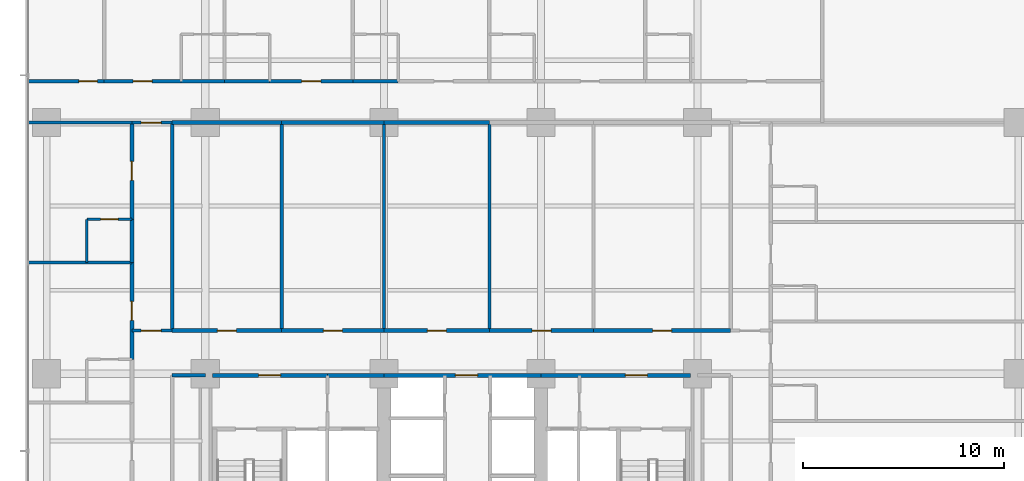
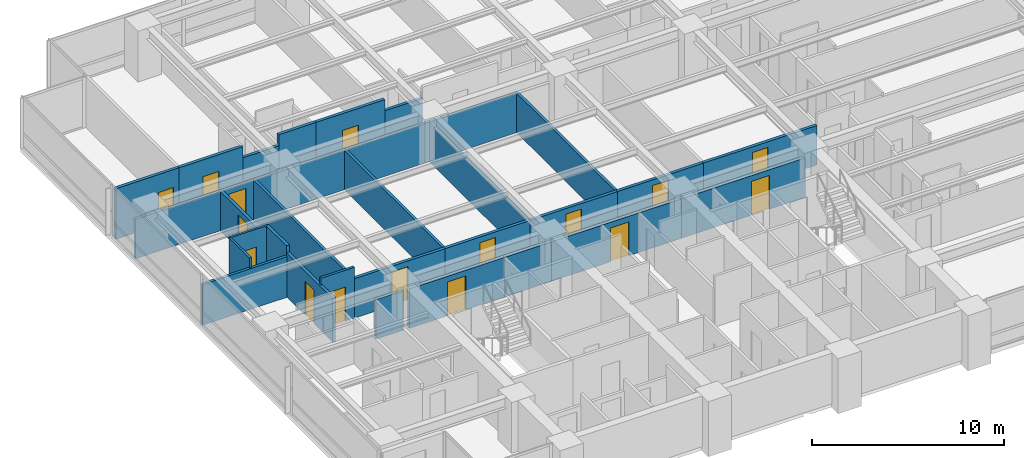
# One storey, part 9 of 17: 32 walls, 16 doors, 16 openings.
"""IFC4 building model written with IfcOpenShell, lengths in metres."""

from ifc_helpers import new_model, si_unit, direction, frame, frame_2d, origin, place, context, subcontext, project, spatial, rectangle, extrude, material, layer, layer_set, type_object, element, fill, save


model = new_model("IFC4")

# Units and contexts
model_context = context("Model", 3, precision=1e-05, world=origin(), true_north=direction((0.0, 1.0)))
body_context = subcontext(model_context, "Body", "Model", "MODEL_VIEW")
ifc_project = project(units=[si_unit("LENGTHUNIT", "METRE"), si_unit("AREAUNIT", "SQUARE_METRE"), si_unit("VOLUMEUNIT", "CUBIC_METRE"), si_unit("PLANEANGLEUNIT", "RADIAN"), si_unit("MASSUNIT", "GRAM", prefix="KILO")], contexts=[model_context])

# Site, building, storey
site_placement = place(None, origin())
site = spatial("IfcSite", under=ifc_project, at=site_placement, CompositionType="ELEMENT")
building_placement = place(site_placement, origin())
building = spatial("IfcBuilding", under=site, at=building_placement, Name="Qalmaran Belvedere Hotel", CompositionType="ELEMENT")
storey_placement = place(building_placement, frame((0.0, 0.0, 40.39990234375)))
storey = spatial("IfcBuildingStorey", under=building, at=storey_placement, Name="L09", CompositionType="ELEMENT", Elevation=40.39990234375)

# Wall, opening, door
ifc_material_1 = material(Name="Moisture-Resistant Gypsum")
ifc_layer_1 = layer(ifc_material_1, 0.1201171875, Name="Moisture-Resistant Gypsum")
ifc_layer_set_1 = layer_set([ifc_layer_1], Name="Moisture-Resistant Gypsum")
wall_type_1 = type_object("IfcWallType", Name="WL-INT-120-BATH", PredefinedType="PARTITIONING", material=ifc_layer_set_1)
wall_1_placement = place(storey_placement, frame((14.39990234375, 28.183349609375, 0.0), z_axis=(0.0, 0.0, 1.0), x_axis=(1.0, 0.0, 0.0)))
wall_1 = element("IfcWall", 1, at=wall_1_placement, inside=storey, type_object=wall_type_1, Name="L09 Partition WL-L09-WBN02", PredefinedType="PARTITIONING", context=body_context, shape_type="SweptSolid", body=[
    extrude(rectangle(XDim=2.25, YDim=0.1201171875, at=frame_2d((1.125, 0.0))), origin(), (0.0, 0.0, 1.0), 3.22021484375),
])
opening_1_placement = place(wall_1_placement, frame((1.56494140625, 0.0, 0.0), z_axis=(0.0, 0.0, 1.0), x_axis=(-1.0, 0.0, 0.0)))
opening_1 = element("IfcOpeningElement", 2, at=opening_1_placement, cuts=wall_1, Name="Opening D-BATH", PredefinedType="OPENING", context=body_context, shape_type="SweptSolid", body=[
    extrude(rectangle(XDim=0.8798828125, YDim=2.080078125, at=frame_2d((0.43994140625, 1.0400390625))), frame((0.0, 0.070068359375, 0.0), z_axis=(0.0, -1.0, 0.0), x_axis=(1.0, 0.0, 0.0)), (0.0, 0.0, 1.0), 0.14013671875),
])
ifc_material_2 = material(Name="Engineered Oak Veneer")
door_type_1 = type_object("IfcDoorType", Name="DR-INT-BATH-880X2080", OperationType="NOTDEFINED", PredefinedType="DOOR", material=ifc_material_2)
door_1_placement = place(opening_1_placement, origin())
door_1 = element("IfcDoor", 3, at=door_1_placement, inside=storey, type_object=door_type_1, Name="L09 W Ensuite Door 03", OperationType="SINGLE_SWING_LEFT", OverallHeight=2.080078125, OverallWidth=0.8798828125, PredefinedType="DOOR", context=body_context, shape_type="SweptSolid", body=[
    extrude(rectangle(XDim=0.8798828125, YDim=2.080078125, at=frame_2d((0.43994140625, 1.0400390625))), frame((0.0, 0.02490234375, 0.0), z_axis=(0.0, -1.0, 0.0), x_axis=(1.0, 0.0, 0.0)), (0.0, 0.0, 1.0), 0.050048828125),
])
fill(opening_1, door_1)

# Wall
wall_2_placement = place(storey_placement, frame((14.39990234375, 26.033203125, 0.0), z_axis=(0.0, 0.0, 1.0), x_axis=(0.0, 1.0, 0.0)))
element("IfcWall", 4, at=wall_2_placement, inside=storey, type_object=wall_type_1, Name="L09 Partition WL-L09-WBS02", PredefinedType="PARTITIONING", context=body_context, shape_type="SweptSolid", body=[
    extrude(rectangle(XDim=2.150146484375, YDim=0.1201171875, at=frame_2d((1.0751953125, 0.0))), origin(), (0.0, 0.0, 1.0), 3.22021484375),
])

# Wall, opening, door
ifc_material_3 = material(Name="Gypsum Stud Partition")
ifc_layer_2 = layer(ifc_material_3, 0.14990234375, Name="Gypsum Stud Partition")
ifc_layer_set_2 = layer_set([ifc_layer_2], Name="Gypsum Stud Partition")
wall_type_2 = type_object("IfcWallType", Name="WL-INT-150-EI60", PredefinedType="PARTITIONING", material=ifc_layer_set_2)
wall_3_placement = place(storey_placement, frame((16.64990234375, 22.64990234375, 0.0), z_axis=(0.0, 0.0, 1.0), x_axis=(1.0, 0.0, 0.0)))
wall_3 = element("IfcWall", 5, at=wall_3_placement, inside=storey, type_object=wall_type_2, Name="L09 Partition WL-L09-XCW1", PredefinedType="PARTITIONING", context=body_context, shape_type="SweptSolid", body=[
    extrude(rectangle(XDim=2.0, YDim=0.14990234375, at=frame_2d((1.0, 0.0))), origin(), (0.0, 0.0, 1.0), 3.22021484375),
])
opening_2_placement = place(wall_3_placement, frame((0.449951171875, 0.0, 0.0)))
opening_2 = element("IfcOpeningElement", 6, at=opening_2_placement, cuts=wall_3, Name="Opening FD90B", PredefinedType="OPENING", context=body_context, shape_type="SweptSolid", body=[
    extrude(rectangle(XDim=1.0, YDim=2.14990234375, at=frame_2d((0.5, 1.074951171875))), frame((0.0, 0.0849609375, 0.0), z_axis=(0.0, -1.0, 0.0), x_axis=(1.0, 0.0, 0.0)), (0.0, 0.0, 1.0), 0.169921875),
])
ifc_material_4 = material(Name="Steel S355JR", Category="steel")
door_type_2 = type_object("IfcDoorType", Name="DR-FD90B-1000X2150", OperationType="NOTDEFINED", PredefinedType="DOOR", material=ifc_material_4)
door_2_placement = place(opening_2_placement, origin())
door_2 = element("IfcDoor", 7, at=door_2_placement, inside=storey, type_object=door_type_2, Name="L09 West Corridor Smoke Door S", OperationType="SINGLE_SWING_RIGHT", OverallHeight=2.14990234375, OverallWidth=1.0, PredefinedType="DOOR", context=body_context, shape_type="SweptSolid", body=[
    extrude(rectangle(XDim=1.0, YDim=2.14990234375, at=frame_2d((0.5, 1.074951171875))), frame((0.0, 0.02490234375, 0.0), z_axis=(0.0, -1.0, 0.0), x_axis=(1.0, 0.0, 0.0)), (0.0, 0.0, 1.0), 0.050048828125),
])
fill(opening_2, door_2)

wall_4_placement = place(storey_placement, frame((16.64990234375, 33.0, 0.0), z_axis=(0.0, 0.0, 1.0), x_axis=(1.0, 0.0, 0.0)))
wall_4 = element("IfcWall", 8, at=wall_4_placement, inside=storey, type_object=wall_type_2, Name="L09 Partition WL-L09-XCW2", PredefinedType="PARTITIONING", context=body_context, shape_type="SweptSolid", body=[
    extrude(rectangle(XDim=2.0, YDim=0.14990234375, at=frame_2d((1.0, 0.0))), origin(), (0.0, 0.0, 1.0), 2.510009765625),
])
opening_3_placement = place(wall_4_placement, frame((0.449951171875, 0.0, 0.0)))
opening_3 = element("IfcOpeningElement", 9, at=opening_3_placement, cuts=wall_4, Name="Opening FD90B", PredefinedType="OPENING", context=body_context, shape_type="SweptSolid", body=[
    extrude(rectangle(XDim=1.0, YDim=2.14990234375, at=frame_2d((0.5, 1.074951171875))), frame((0.0, 0.0849609375, 0.0), z_axis=(0.0, -1.0, 0.0), x_axis=(1.0, 0.0, 0.0)), (0.0, 0.0, 1.0), 0.169921875),
])
door_3_placement = place(opening_3_placement, origin())
door_3 = element("IfcDoor", 10, at=door_3_placement, inside=storey, type_object=door_type_2, Name="L09 West Corridor Smoke Door N", OperationType="SINGLE_SWING_LEFT", OverallHeight=2.14990234375, OverallWidth=1.0, PredefinedType="DOOR", context=body_context, shape_type="SweptSolid", body=[
    extrude(rectangle(XDim=1.0, YDim=2.14990234375, at=frame_2d((0.5, 1.074951171875))), frame((0.0, 0.02490234375, 0.0), z_axis=(0.0, -1.0, 0.0), x_axis=(1.0, 0.0, 0.0)), (0.0, 0.0, 1.0), 0.050048828125),
])
fill(opening_3, door_3)

# Walls
ifc_layer_3 = layer(ifc_material_3, 0.159912109375, Name="Gypsum Stud Partition")
ifc_layer_set_3 = layer_set([ifc_layer_3], Name="Gypsum Stud Partition")
wall_type_3 = type_object("IfcWallType", Name="WL-INT-160-EI60", PredefinedType="PARTITIONING", material=ifc_layer_set_3)
wall_5_placement = place(storey_placement, frame((18.64990234375, 20.419921875, 0.0), z_axis=(0.0, 0.0, 1.0), x_axis=(1.0, 0.0, 0.0)))
element("IfcWall", 11, at=wall_5_placement, inside=storey, type_object=wall_type_3, Name="L09 Partition WL-L09-WCLN", PredefinedType="PARTITIONING", context=body_context, shape_type="SweptSolid", body=[
    extrude(rectangle(XDim=1.650146484375, YDim=0.159912109375, at=frame_2d((0.8251953125, 0.0))), origin(), (0.0, 0.0, 1.0), 2.510009765625),
])
for number, where, z_axis, x_axis, name in (
    (12, (18.64990234375, 22.64990234375, 0.0), (0.0, 0.0, 1.0), (0.0, 1.0, 0.0), "L09 Partition WL-L09-MIDVL"),
    (13, (24.10009765625, 22.64990234375, 0.0), (0.0, 0.0, 1.0), (0.0, 1.0, 0.0), "L09 Partition WL-L09-MIDVR1"),
    (14, (29.199951171875, 22.64990234375, 0.0), (0.0, 0.0, 1.0), (0.0, 1.0, 0.0), "L09 Partition WL-L09-MIDVR2"),
    (15, (34.449951171875, 22.64990234375, 0.0), (0.0, 0.0, 1.0), (0.0, 1.0, 0.0), "L09 Partition WL-L09-MIDVR3"),
):
    element("IfcWall", number, at=place(storey_placement, frame(where, z_axis=z_axis, x_axis=x_axis)), inside=storey, type_object=wall_type_3, Name=name, PredefinedType="PARTITIONING", context=body_context, shape_type="SweptSolid", body=[
        extrude(rectangle(XDim=10.35009765625, YDim=0.159912109375, at=frame_2d((5.175048828125, 0.0))), origin(), (0.0, 0.0, 1.0), 2.510009765625),
    ])
wall_6_placement = place(storey_placement, frame((11.469970703125, 26.033203125, 0.0), z_axis=(0.0, 0.0, 1.0), x_axis=(1.0, 0.0, 0.0)))
element("IfcWall", 16, at=wall_6_placement, inside=storey, type_object=wall_type_3, Name="L09 Partition WL-L09-WU01", PredefinedType="PARTITIONING", context=body_context, shape_type="SweptSolid", body=[
    extrude(rectangle(XDim=5.179931640625, YDim=0.159912109375, at=frame_2d((2.58984375, 0.0))), origin(), (0.0, 0.0, 1.0), 2.5830078125),
])
wall_7_placement = place(storey_placement, frame((11.469970703125, 33.0, 0.0), z_axis=(0.0, 0.0, 1.0), x_axis=(1.0, 0.0, 0.0)))
element("IfcWall", 17, at=wall_7_placement, inside=storey, type_object=wall_type_3, Name="L09 Partition WL-L09-WU02", PredefinedType="PARTITIONING", context=body_context, shape_type="SweptSolid", body=[
    extrude(rectangle(XDim=5.179931640625, YDim=0.159912109375, at=frame_2d((2.58984375, 0.0))), origin(), (0.0, 0.0, 1.0), 2.510009765625),
])

# Wall, opening, door
ifc_layer_4 = layer(ifc_material_3, 0.179931640625, Name="Gypsum Stud Partition")
ifc_layer_set_4 = layer_set([ifc_layer_4], Name="Gypsum Stud Partition")
wall_type_4 = type_object("IfcWallType", Name="WL-INT-180-EI60", PredefinedType="PARTITIONING", material=ifc_layer_set_4)
wall_8_placement = place(storey_placement, frame((18.64990234375, 22.64990234375, 0.0), z_axis=(0.0, 0.0, 1.0), x_axis=(1.0, 0.0, 0.0)))
wall_8 = element("IfcWall", 18, at=wall_8_placement, inside=storey, type_object=wall_type_4, Name="L09 Partition WL-L09-MIDD1", PredefinedType="PARTITIONING", context=body_context, shape_type="SweptSolid", body=[
    extrude(rectangle(XDim=5.4501953125, YDim=0.179931640625, at=frame_2d((2.72509765625, 0.0))), origin(), (0.0, 0.0, 1.0), 2.510009765625),
])
opening_4_placement = place(wall_8_placement, frame((2.25, 0.0, 0.0)))
opening_4 = element("IfcOpeningElement", 19, at=opening_4_placement, cuts=wall_8, Name="Opening FD60", PredefinedType="OPENING", context=body_context, shape_type="SweptSolid", body=[
    extrude(rectangle(XDim=0.949951171875, YDim=2.14990234375, at=frame_2d((0.47509765625, 1.074951171875))), frame((0.0, 0.10009765625, 0.0), z_axis=(0.0, -1.0, 0.0), x_axis=(1.0, 0.0, 0.0)), (0.0, 0.0, 1.0), 0.199951171875),
])
door_type_3 = type_object("IfcDoorType", Name="DR-FD60-950X2150", OperationType="NOTDEFINED", PredefinedType="DOOR", material=ifc_material_2)
door_4_placement = place(opening_4_placement, origin())
door_4 = element("IfcDoor", 20, at=door_4_placement, inside=storey, type_object=door_type_3, Name="L09 Housekeeping and Linen Room Door", OperationType="SINGLE_SWING_RIGHT", OverallHeight=2.14990234375, OverallWidth=0.949951171875, PredefinedType="DOOR", context=body_context, shape_type="SweptSolid", body=[
    extrude(rectangle(XDim=0.949951171875, YDim=2.14990234375, at=frame_2d((0.47509765625, 1.074951171875))), frame((0.0, 0.02490234375, 0.0), z_axis=(0.0, -1.0, 0.0), x_axis=(1.0, 0.0, 0.0)), (0.0, 0.0, 1.0), 0.050048828125),
])
fill(opening_4, door_4)

# Wall
wall_9_placement = place(storey_placement, frame((18.64990234375, 33.0, 0.0), z_axis=(0.0, 0.0, 1.0), x_axis=(1.0, 0.0, 0.0)))
element("IfcWall", 21, at=wall_9_placement, inside=storey, type_object=wall_type_4, Name="L09 Partition WL-L09-MIDO1", PredefinedType="PARTITIONING", context=body_context, shape_type="SweptSolid", body=[
    extrude(rectangle(XDim=5.4501953125, YDim=0.179931640625, at=frame_2d((2.72509765625, 0.0))), origin(), (0.0, 0.0, 1.0), 2.510009765625),
])

# Wall, opening, door
wall_10_placement = place(storey_placement, frame((24.10009765625, 22.64990234375, 0.0), z_axis=(0.0, 0.0, 1.0), x_axis=(1.0, 0.0, 0.0)))
wall_10 = element("IfcWall", 22, at=wall_10_placement, inside=storey, type_object=wall_type_4, Name="L09 Partition WL-L09-MIDD2", PredefinedType="PARTITIONING", context=body_context, shape_type="SweptSolid", body=[
    extrude(rectangle(XDim=5.099853515625, YDim=0.179931640625, at=frame_2d((2.5498046875, 0.0))), origin(), (0.0, 0.0, 1.0), 2.510009765625),
])
opening_5_placement = place(wall_10_placement, frame((2.074951171875, 0.0, 0.0)))
opening_5 = element("IfcOpeningElement", 23, at=opening_5_placement, cuts=wall_10, Name="Opening FD60", PredefinedType="OPENING", context=body_context, shape_type="SweptSolid", body=[
    extrude(rectangle(XDim=0.949951171875, YDim=2.14990234375, at=frame_2d((0.47509765625, 1.074951171875))), frame((0.0, 0.10009765625, 0.0), z_axis=(0.0, -1.0, 0.0), x_axis=(1.0, 0.0, 0.0)), (0.0, 0.0, 1.0), 0.199951171875),
])
door_5_placement = place(opening_5_placement, origin())
door_5 = element("IfcDoor", 24, at=door_5_placement, inside=storey, type_object=door_type_3, Name="L09 Yoga Spa Door", OperationType="SINGLE_SWING_LEFT", OverallHeight=2.14990234375, OverallWidth=0.949951171875, PredefinedType="DOOR", context=body_context, shape_type="SweptSolid", body=[
    extrude(rectangle(XDim=0.949951171875, YDim=2.14990234375, at=frame_2d((0.47509765625, 1.074951171875))), frame((0.0, 0.02490234375, 0.0), z_axis=(0.0, -1.0, 0.0), x_axis=(1.0, 0.0, 0.0)), (0.0, 0.0, 1.0), 0.050048828125),
])
fill(opening_5, door_5)

# Wall
wall_11_placement = place(storey_placement, frame((24.10009765625, 33.0, 0.0), z_axis=(0.0, 0.0, 1.0), x_axis=(1.0, 0.0, 0.0)))
element("IfcWall", 25, at=wall_11_placement, inside=storey, type_object=wall_type_4, Name="L09 Partition WL-L09-MIDO2", PredefinedType="PARTITIONING", context=body_context, shape_type="SweptSolid", body=[
    extrude(rectangle(XDim=5.099853515625, YDim=0.179931640625, at=frame_2d((2.5498046875, 0.0))), origin(), (0.0, 0.0, 1.0), 2.510009765625),
])

# Wall, opening, door
wall_12_placement = place(storey_placement, frame((29.199951171875, 22.64990234375, 0.0), z_axis=(0.0, 0.0, 1.0), x_axis=(1.0, 0.0, 0.0)))
wall_12 = element("IfcWall", 26, at=wall_12_placement, inside=storey, type_object=wall_type_4, Name="L09 Partition WL-L09-MIDD3", PredefinedType="PARTITIONING", context=body_context, shape_type="SweptSolid", body=[
    extrude(rectangle(XDim=5.25, YDim=0.179931640625, at=frame_2d((2.625, 0.0))), origin(), (0.0, 0.0, 1.0), 2.510009765625),
])
opening_6_placement = place(wall_12_placement, frame((2.14990234375, 0.0, 0.0)))
opening_6 = element("IfcOpeningElement", 27, at=opening_6_placement, cuts=wall_12, Name="Opening FD60", PredefinedType="OPENING", context=body_context, shape_type="SweptSolid", body=[
    extrude(rectangle(XDim=0.949951171875, YDim=2.14990234375, at=frame_2d((0.47509765625, 1.074951171875))), frame((0.0, 0.10009765625, 0.0), z_axis=(0.0, -1.0, 0.0), x_axis=(1.0, 0.0, 0.0)), (0.0, 0.0, 1.0), 0.199951171875),
])
door_6_placement = place(opening_6_placement, origin())
door_6 = element("IfcDoor", 28, at=door_6_placement, inside=storey, type_object=door_type_3, Name="L09 Fitness Gym Door", OperationType="SINGLE_SWING_RIGHT", OverallHeight=2.14990234375, OverallWidth=0.949951171875, PredefinedType="DOOR", context=body_context, shape_type="SweptSolid", body=[
    extrude(rectangle(XDim=0.949951171875, YDim=2.14990234375, at=frame_2d((0.47509765625, 1.074951171875))), frame((0.0, 0.02490234375, 0.0), z_axis=(0.0, -1.0, 0.0), x_axis=(1.0, 0.0, 0.0)), (0.0, 0.0, 1.0), 0.050048828125),
])
fill(opening_6, door_6)

# Wall
wall_13_placement = place(storey_placement, frame((29.199951171875, 33.0, 0.0), z_axis=(0.0, 0.0, 1.0), x_axis=(1.0, 0.0, 0.0)))
element("IfcWall", 29, at=wall_13_placement, inside=storey, type_object=wall_type_4, Name="L09 Partition WL-L09-MIDO3", PredefinedType="PARTITIONING", context=body_context, shape_type="SweptSolid", body=[
    extrude(rectangle(XDim=5.25, YDim=0.179931640625, at=frame_2d((2.625, 0.0))), origin(), (0.0, 0.0, 1.0), 2.510009765625),
])

# Wall, opening, door
wall_14_placement = place(storey_placement, frame((34.449951171875, 22.64990234375, 0.0), z_axis=(0.0, 0.0, 1.0), x_axis=(1.0, 0.0, 0.0)))
wall_14 = element("IfcWall", 30, at=wall_14_placement, inside=storey, type_object=wall_type_4, Name="L09 Partition WL-L09-MIDD4", PredefinedType="PARTITIONING", context=body_context, shape_type="SweptSolid", body=[
    extrude(rectangle(XDim=5.175048828125, YDim=0.179931640625, at=frame_2d((2.58740234375, 0.0))), origin(), (0.0, 0.0, 1.0), 2.510009765625),
])
opening_7_placement = place(wall_14_placement, frame((2.112548828125, 0.0, 0.0)))
opening_7 = element("IfcOpeningElement", 31, at=opening_7_placement, cuts=wall_14, Name="Opening FD60", PredefinedType="OPENING", context=body_context, shape_type="SweptSolid", body=[
    extrude(rectangle(XDim=0.949951171875, YDim=2.14990234375, at=frame_2d((0.47509765625, 1.074951171875))), frame((0.0, 0.10009765625, 0.0), z_axis=(0.0, -1.0, 0.0), x_axis=(1.0, 0.0, 0.0)), (0.0, 0.0, 1.0), 0.199951171875),
])
door_7_placement = place(opening_7_placement, origin())
door_7 = element("IfcDoor", 32, at=door_7_placement, inside=storey, type_object=door_type_3, Name="L09 Pilates Spa Door", OperationType="SINGLE_SWING_LEFT", OverallHeight=2.14990234375, OverallWidth=0.949951171875, PredefinedType="DOOR", context=body_context, shape_type="SweptSolid", body=[
    extrude(rectangle(XDim=0.949951171875, YDim=2.14990234375, at=frame_2d((0.47509765625, 1.074951171875))), frame((0.0, 0.02490234375, 0.0), z_axis=(0.0, -1.0, 0.0), x_axis=(1.0, 0.0, 0.0)), (0.0, 0.0, 1.0), 0.050048828125),
])
fill(opening_7, door_7)

wall_15_placement = place(storey_placement, frame((39.625, 22.64990234375, 0.0), z_axis=(0.0, 0.0, 1.0), x_axis=(1.0, 0.0, 0.0)))
wall_15 = element("IfcWall", 33, at=wall_15_placement, inside=storey, type_object=wall_type_4, Name="L09 Partition WL-L09-MIDD5", PredefinedType="PARTITIONING", context=body_context, shape_type="SweptSolid", body=[
    extrude(rectangle(XDim=6.824951171875, YDim=0.179931640625, at=frame_2d((3.41259765625, 0.0))), origin(), (0.0, 0.0, 1.0), 2.510009765625),
])
opening_8_placement = place(wall_15_placement, frame((2.9375, 0.0, 0.0)))
opening_8 = element("IfcOpeningElement", 34, at=opening_8_placement, cuts=wall_15, Name="Opening FD60", PredefinedType="OPENING", context=body_context, shape_type="SweptSolid", body=[
    extrude(rectangle(XDim=0.949951171875, YDim=2.14990234375, at=frame_2d((0.47509765625, 1.074951171875))), frame((0.0, 0.10009765625, 0.0), z_axis=(0.0, -1.0, 0.0), x_axis=(1.0, 0.0, 0.0)), (0.0, 0.0, 1.0), 0.199951171875),
])
door_8_placement = place(opening_8_placement, origin())
door_8 = element("IfcDoor", 35, at=door_8_placement, inside=storey, type_object=door_type_3, Name="L09 Thermal Spa Door", OperationType="SINGLE_SWING_RIGHT", OverallHeight=2.14990234375, OverallWidth=0.949951171875, PredefinedType="DOOR", context=body_context, shape_type="SweptSolid", body=[
    extrude(rectangle(XDim=0.949951171875, YDim=2.14990234375, at=frame_2d((0.47509765625, 1.074951171875))), frame((0.0, 0.02490234375, 0.0), z_axis=(0.0, -1.0, 0.0), x_axis=(1.0, 0.0, 0.0)), (0.0, 0.0, 1.0), 0.050048828125),
])
fill(opening_8, door_8)

# Wall
wall_16_placement = place(storey_placement, frame((19.096435546875, 35.050048828125, 0.0), z_axis=(0.0, 0.0, 1.0), x_axis=(1.0, 0.0, 0.0)))
element("IfcWall", 36, at=wall_16_placement, inside=storey, type_object=wall_type_4, Name="L09 Partition WL-L09-NBC00", PredefinedType="PARTITIONING", context=body_context, shape_type="SweptSolid", body=[
    extrude(rectangle(XDim=2.16015625, YDim=0.179931640625, at=frame_2d((1.080078125, 0.0))), origin(), (0.0, 0.0, 1.0), 2.510009765625),
])

# Wall, opening, door
wall_17_placement = place(storey_placement, frame((15.27001953125, 35.050048828125, 0.0), z_axis=(0.0, 0.0, 1.0), x_axis=(1.0, 0.0, 0.0)))
wall_17 = element("IfcWall", 37, at=wall_17_placement, inside=storey, type_object=wall_type_4, Name="L09 Partition WL-L09-NEC00", PredefinedType="PARTITIONING", context=body_context, shape_type="SweptSolid", body=[
    extrude(rectangle(XDim=3.826416015625, YDim=0.179931640625, at=frame_2d((1.9130859375, 0.0))), origin(), (0.0, 0.0, 1.0), 3.22021484375),
])
opening_9_placement = place(wall_17_placement, frame((1.438232421875, 0.0, 0.0)))
opening_9 = element("IfcOpeningElement", 38, at=opening_9_placement, cuts=wall_17, Name="Opening FD60", PredefinedType="OPENING", context=body_context, shape_type="SweptSolid", body=[
    extrude(rectangle(XDim=0.949951171875, YDim=2.14990234375, at=frame_2d((0.47509765625, 1.074951171875))), frame((0.0, 0.10009765625, 0.0), z_axis=(0.0, -1.0, 0.0), x_axis=(1.0, 0.0, 0.0)), (0.0, 0.0, 1.0), 0.199951171875),
])
door_9_placement = place(opening_9_placement, origin())
door_9 = element("IfcDoor", 39, at=door_9_placement, inside=storey, type_object=door_type_3, Name="L09 Guest Entrance Door N01", OperationType="SINGLE_SWING_RIGHT", OverallHeight=2.14990234375, OverallWidth=0.949951171875, PredefinedType="DOOR", context=body_context, shape_type="SweptSolid", body=[
    extrude(rectangle(XDim=0.949951171875, YDim=2.14990234375, at=frame_2d((0.47509765625, 1.074951171875))), frame((0.0, 0.02490234375, 0.0), z_axis=(0.0, -1.0, 0.0), x_axis=(1.0, 0.0, 0.0)), (0.0, 0.0, 1.0), 0.050048828125),
])
fill(opening_9, door_9)

# Wall
wall_18_placement = place(storey_placement, frame((21.256591796875, 35.050048828125, 0.0), z_axis=(0.0, 0.0, 1.0), x_axis=(1.0, 0.0, 0.0)))
element("IfcWall", 40, at=wall_18_placement, inside=storey, type_object=wall_type_4, Name="L09 Partition WL-L09-NBC01", PredefinedType="PARTITIONING", context=body_context, shape_type="SweptSolid", body=[
    extrude(rectangle(XDim=2.25, YDim=0.179931640625, at=frame_2d((1.125, 0.0))), origin(), (0.0, 0.0, 1.0), 3.22021484375),
])

# Wall, opening, door
wall_19_placement = place(storey_placement, frame((23.506591796875, 35.050048828125, 0.0), z_axis=(0.0, 0.0, 1.0), x_axis=(1.0, 0.0, 0.0)))
wall_19 = element("IfcWall", 41, at=wall_19_placement, inside=storey, type_object=wall_type_4, Name="L09 Partition WL-L09-NEC01", PredefinedType="PARTITIONING", context=body_context, shape_type="SweptSolid", body=[
    extrude(rectangle(XDim=4.135498046875, YDim=0.179931640625, at=frame_2d((2.06787109375, 0.0))), origin(), (0.0, 0.0, 1.0), 3.22021484375),
])
opening_10_placement = place(wall_19_placement, frame((1.5927734375, 0.0, 0.0)))
opening_10 = element("IfcOpeningElement", 42, at=opening_10_placement, cuts=wall_19, Name="Opening FD60", PredefinedType="OPENING", context=body_context, shape_type="SweptSolid", body=[
    extrude(rectangle(XDim=0.949951171875, YDim=2.14990234375, at=frame_2d((0.47509765625, 1.074951171875))), frame((0.0, 0.10009765625, 0.0), z_axis=(0.0, -1.0, 0.0), x_axis=(1.0, 0.0, 0.0)), (0.0, 0.0, 1.0), 0.199951171875),
])
door_10_placement = place(opening_10_placement, origin())
door_10 = element("IfcDoor", 43, at=door_10_placement, inside=storey, type_object=door_type_3, Name="L09 Guest Entrance Door N02", OperationType="SINGLE_SWING_RIGHT", OverallHeight=2.14990234375, OverallWidth=0.949951171875, PredefinedType="DOOR", context=body_context, shape_type="SweptSolid", body=[
    extrude(rectangle(XDim=0.949951171875, YDim=2.14990234375, at=frame_2d((0.47509765625, 1.074951171875))), frame((0.0, 0.02490234375, 0.0), z_axis=(0.0, -1.0, 0.0), x_axis=(1.0, 0.0, 0.0)), (0.0, 0.0, 1.0), 0.050048828125),
])
fill(opening_10, door_10)

# Wall
wall_20_placement = place(storey_placement, frame((27.64208984375, 35.050048828125, 0.0), z_axis=(0.0, 0.0, 1.0), x_axis=(1.0, 0.0, 0.0)))
element("IfcWall", 44, at=wall_20_placement, inside=storey, type_object=wall_type_4, Name="L09 Partition WL-L09-NBC02", PredefinedType="PARTITIONING", context=body_context, shape_type="SweptSolid", body=[
    extrude(rectangle(XDim=2.25, YDim=0.179931640625, at=frame_2d((1.125, 0.0))), origin(), (0.0, 0.0, 1.0), 2.510009765625),
])

# Wall, opening, door
wall_21_placement = place(storey_placement, frame((16.64990234375, 21.216796875, 0.0), z_axis=(0.0, 0.0, 1.0), x_axis=(0.0, 1.0, 0.0)))
wall_21 = element("IfcWall", 45, at=wall_21_placement, inside=storey, type_object=wall_type_4, Name="L09 Partition WL-L09-WEC01", PredefinedType="PARTITIONING", context=body_context, shape_type="SweptSolid", body=[
    extrude(rectangle(XDim=4.81640625, YDim=0.179931640625, at=frame_2d((2.408203125, 0.0))), origin(), (0.0, 0.0, 1.0), 2.7880859375),
])
opening_11_placement = place(wall_21_placement, frame((1.933349609375, 0.0, 0.0)))
opening_11 = element("IfcOpeningElement", 46, at=opening_11_placement, cuts=wall_21, Name="Opening FD60", PredefinedType="OPENING", context=body_context, shape_type="SweptSolid", body=[
    extrude(rectangle(XDim=0.949951171875, YDim=2.14990234375, at=frame_2d((0.47509765625, 1.074951171875))), frame((0.0, 0.10009765625, 0.0), z_axis=(0.0, -1.0, 0.0), x_axis=(1.0, 0.0, 0.0)), (0.0, 0.0, 1.0), 0.199951171875),
])
door_11_placement = place(opening_11_placement, origin())
door_11 = element("IfcDoor", 47, at=door_11_placement, inside=storey, type_object=door_type_3, Name="L09 W Wing Door 02", OperationType="SINGLE_SWING_RIGHT", OverallHeight=2.14990234375, OverallWidth=0.949951171875, PredefinedType="DOOR", context=body_context, shape_type="SweptSolid", body=[
    extrude(rectangle(XDim=0.949951171875, YDim=2.14990234375, at=frame_2d((0.47509765625, 1.074951171875))), frame((0.0, 0.02490234375, 0.0), z_axis=(0.0, -1.0, 0.0), x_axis=(1.0, 0.0, 0.0)), (0.0, 0.0, 1.0), 0.050048828125),
])
fill(opening_11, door_11)

# Wall
wall_22_placement = place(storey_placement, frame((16.64990234375, 26.033203125, 0.0), z_axis=(0.0, 0.0, 1.0), x_axis=(0.0, 1.0, 0.0)))
element("IfcWall", 48, at=wall_22_placement, inside=storey, type_object=wall_type_4, Name="L09 Partition WL-L09-WBC02", PredefinedType="PARTITIONING", context=body_context, shape_type="SweptSolid", body=[
    extrude(rectangle(XDim=2.150146484375, YDim=0.179931640625, at=frame_2d((1.0751953125, 0.0))), origin(), (0.0, 0.0, 1.0), 3.22021484375),
])

# Wall, opening, door
wall_23_placement = place(storey_placement, frame((16.64990234375, 28.183349609375, 0.0), z_axis=(0.0, 0.0, 1.0), x_axis=(0.0, 1.0, 0.0)))
wall_23 = element("IfcWall", 49, at=wall_23_placement, inside=storey, type_object=wall_type_4, Name="L09 Partition WL-L09-WEC02", PredefinedType="PARTITIONING", context=body_context, shape_type="SweptSolid", body=[
    extrude(rectangle(XDim=4.816650390625, YDim=0.179931640625, at=frame_2d((2.408203125, 0.0))), origin(), (0.0, 0.0, 1.0), 2.510009765625),
])
opening_12_placement = place(wall_23_placement, frame((1.933349609375, 0.0, 0.0)))
opening_12 = element("IfcOpeningElement", 50, at=opening_12_placement, cuts=wall_23, Name="Opening FD60", PredefinedType="OPENING", context=body_context, shape_type="SweptSolid", body=[
    extrude(rectangle(XDim=0.949951171875, YDim=2.14990234375, at=frame_2d((0.47509765625, 1.074951171875))), frame((0.0, 0.10009765625, 0.0), z_axis=(0.0, -1.0, 0.0), x_axis=(1.0, 0.0, 0.0)), (0.0, 0.0, 1.0), 0.199951171875),
])
door_12_placement = place(opening_12_placement, origin())
door_12 = element("IfcDoor", 51, at=door_12_placement, inside=storey, type_object=door_type_3, Name="L09 W Wing Door 03", OperationType="SINGLE_SWING_RIGHT", OverallHeight=2.14990234375, OverallWidth=0.949951171875, PredefinedType="DOOR", context=body_context, shape_type="SweptSolid", body=[
    extrude(rectangle(XDim=0.949951171875, YDim=2.14990234375, at=frame_2d((0.47509765625, 1.074951171875))), frame((0.0, 0.02490234375, 0.0), z_axis=(0.0, -1.0, 0.0), x_axis=(1.0, 0.0, 0.0)), (0.0, 0.0, 1.0), 0.050048828125),
])
fill(opening_12, door_12)

wall_24_placement = place(storey_placement, frame((11.469970703125, 35.050048828125, 0.0), z_axis=(0.0, 0.0, 1.0), x_axis=(1.0, 0.0, 0.0)))
wall_24 = element("IfcWall", 52, at=wall_24_placement, inside=storey, type_object=wall_type_4, Name="L09 Partition WL-L09-NWSD", PredefinedType="PARTITIONING", context=body_context, shape_type="SweptSolid", body=[
    extrude(rectangle(XDim=3.800048828125, YDim=0.179931640625, at=frame_2d((1.89990234375, 0.0))), origin(), (0.0, 0.0, 1.0), 3.22021484375),
])
opening_13_placement = place(wall_24_placement, frame((2.543701171875, 0.0, 0.0)))
opening_13 = element("IfcOpeningElement", 53, at=opening_13_placement, cuts=wall_24, Name="Opening FD60S1", PredefinedType="OPENING", context=body_context, shape_type="SweptSolid", body=[
    extrude(rectangle(XDim=0.919921875, YDim=2.080078125, at=frame_2d((0.4599609375, 1.0400390625))), frame((0.0, 0.10009765625, 0.0), z_axis=(0.0, -1.0, 0.0), x_axis=(1.0, 0.0, 0.0)), (0.0, 0.0, 1.0), 0.199951171875),
])
door_type_4 = type_object("IfcDoorType", Name="DR-FD60S-920X2080", OperationType="NOTDEFINED", PredefinedType="DOOR", material=ifc_material_2)
door_13_placement = place(opening_13_placement, origin())
door_13 = element("IfcDoor", 54, at=door_13_placement, inside=storey, type_object=door_type_4, Name="L09 NW Belvedere Study Door", OperationType="SINGLE_SWING_LEFT", OverallHeight=2.080078125, OverallWidth=0.919921875, PredefinedType="DOOR", context=body_context, shape_type="SweptSolid", body=[
    extrude(rectangle(XDim=0.919921875, YDim=2.080078125, at=frame_2d((0.4599609375, 1.0400390625))), frame((0.0, 0.02490234375, 0.0), z_axis=(0.0, -1.0, 0.0), x_axis=(1.0, 0.0, 0.0)), (0.0, 0.0, 1.0), 0.050048828125),
])
fill(opening_13, door_13)

ifc_material_5 = material(Name="Concrete C30/37 Blockwork", Category="masonry")
ifc_layer_5 = layer(ifc_material_5, 0.199951171875, Name="Concrete C30/37 Blockwork")
ifc_layer_set_5 = layer_set([ifc_layer_5], Name="Concrete C30/37 Blockwork")
wall_type_5 = type_object("IfcWallType", Name="WL-INT-200-EI120", PredefinedType="PARTITIONING", material=ifc_layer_set_5)
wall_25_placement = place(storey_placement, frame((20.64990234375, 20.419921875, 0.0), z_axis=(0.0, 0.0, 1.0), x_axis=(1.0, 0.0, 0.0)))
wall_25 = element("IfcWall", 55, at=wall_25_placement, inside=storey, type_object=wall_type_5, Name="L09 Partition WL-CN1A-L09", PredefinedType="PARTITIONING", context=body_context, shape_type="SweptSolid", body=[
    extrude(rectangle(XDim=5.72998046875, YDim=0.199951171875, at=frame_2d((2.864990234375, 0.0))), origin(), (0.0, 0.0, 1.0), 2.510009765625),
])
opening_14_placement = place(wall_25_placement, frame((2.300048828125, 0.0, 0.0)))
opening_14 = element("IfcOpeningElement", 56, at=opening_14_placement, cuts=wall_25, Name="Opening FD90", PredefinedType="OPENING", context=body_context, shape_type="SweptSolid", body=[
    extrude(rectangle(XDim=1.10009765625, YDim=2.14990234375, at=frame_2d((0.550048828125, 1.074951171875))), frame((0.0, 0.10986328125, 0.0), z_axis=(0.0, -1.0, 0.0), x_axis=(1.0, 0.0, 0.0)), (0.0, 0.0, 1.0), 0.219970703125),
])
door_type_5 = type_object("IfcDoorType", Name="DR-FD90-1100X2150", OperationType="NOTDEFINED", PredefinedType="DOOR", material=ifc_material_4)
door_14_placement = place(opening_14_placement, origin())
door_14 = element("IfcDoor", 57, at=door_14_placement, inside=storey, type_object=door_type_5, Name="L09 FF1 Lobby Corridor Door", OperationType="SINGLE_SWING_RIGHT", OverallHeight=2.14990234375, OverallWidth=1.10009765625, PredefinedType="DOOR", context=body_context, shape_type="SweptSolid", body=[
    extrude(rectangle(XDim=1.10009765625, YDim=2.14990234375, at=frame_2d((0.550048828125, 1.074951171875))), frame((0.0, 0.02490234375, 0.0), z_axis=(0.0, -1.0, 0.0), x_axis=(1.0, 0.0, 0.0)), (0.0, 0.0, 1.0), 0.050048828125),
])
fill(opening_14, door_14)

# Wall
wall_26_placement = place(storey_placement, frame((26.3798828125, 20.419921875, 0.0), z_axis=(0.0, 0.0, 1.0), x_axis=(1.0, 0.0, 0.0)))
element("IfcWall", 58, at=wall_26_placement, inside=storey, type_object=wall_type_5, Name="L09 Partition WL-CN1B-L09", PredefinedType="PARTITIONING", context=body_context, shape_type="SweptSolid", body=[
    extrude(rectangle(XDim=2.820068359375, YDim=0.199951171875, at=frame_2d((1.41015625, 0.0))), origin(), (0.0, 0.0, 1.0), 2.510009765625),
])

# Wall, opening, door
wall_27_placement = place(storey_placement, frame((29.199951171875, 20.419921875, 0.0), z_axis=(0.0, 0.0, 1.0), x_axis=(1.0, 0.0, 0.0)))
wall_27 = element("IfcWall", 59, at=wall_27_placement, inside=storey, type_object=wall_type_5, Name="L09 Partition WL-CN2-L09", PredefinedType="PARTITIONING", context=body_context, shape_type="SweptSolid", body=[
    extrude(rectangle(XDim=7.800048828125, YDim=0.199951171875, at=frame_2d((3.89990234375, 0.0))), origin(), (0.0, 0.0, 1.0), 2.510009765625),
])
opening_15_placement = place(wall_27_placement, frame((3.550048828125, 0.0, 0.0)))
opening_15 = element("IfcOpeningElement", 60, at=opening_15_placement, cuts=wall_27, Name="Opening FD90", PredefinedType="OPENING", context=body_context, shape_type="SweptSolid", body=[
    extrude(rectangle(XDim=1.10009765625, YDim=2.14990234375, at=frame_2d((0.550048828125, 1.074951171875))), frame((0.0, 0.10986328125, 0.0), z_axis=(0.0, -1.0, 0.0), x_axis=(1.0, 0.0, 0.0)), (0.0, 0.0, 1.0), 0.219970703125),
])
door_15_placement = place(opening_15_placement, origin())
door_15 = element("IfcDoor", 61, at=door_15_placement, inside=storey, type_object=door_type_5, Name="L09 Central Lift Lobby Door", OperationType="SINGLE_SWING_LEFT", OverallHeight=2.14990234375, OverallWidth=1.10009765625, PredefinedType="DOOR", context=body_context, shape_type="SweptSolid", body=[
    extrude(rectangle(XDim=1.10009765625, YDim=2.14990234375, at=frame_2d((0.550048828125, 1.074951171875))), frame((0.0, 0.02490234375, 0.0), z_axis=(0.0, -1.0, 0.0), x_axis=(1.0, 0.0, 0.0)), (0.0, 0.0, 1.0), 0.050048828125),
])
fill(opening_15, door_15)

wall_28_placement = place(storey_placement, frame((37.0, 20.419921875, 0.0), z_axis=(0.0, 0.0, 1.0), x_axis=(1.0, 0.0, 0.0)))
wall_28 = element("IfcWall", 62, at=wall_28_placement, inside=storey, type_object=wall_type_5, Name="L09 Partition WL-CN3-L09", PredefinedType="PARTITIONING", context=body_context, shape_type="SweptSolid", body=[
    extrude(rectangle(XDim=7.449951171875, YDim=0.199951171875, at=frame_2d((3.72509765625, 0.0))), origin(), (0.0, 0.0, 1.0), 2.510009765625),
])
opening_16_placement = place(wall_28_placement, frame((4.199951171875, 0.0, 0.0)))
opening_16 = element("IfcOpeningElement", 63, at=opening_16_placement, cuts=wall_28, Name="Opening FD90", PredefinedType="OPENING", context=body_context, shape_type="SweptSolid", body=[
    extrude(rectangle(XDim=1.10009765625, YDim=2.14990234375, at=frame_2d((0.550048828125, 1.074951171875))), frame((0.0, 0.10986328125, 0.0), z_axis=(0.0, -1.0, 0.0), x_axis=(1.0, 0.0, 0.0)), (0.0, 0.0, 1.0), 0.219970703125),
])
door_16_placement = place(opening_16_placement, origin())
door_16 = element("IfcDoor", 64, at=door_16_placement, inside=storey, type_object=door_type_5, Name="L09 FF2 Lobby Corridor Door", OperationType="SINGLE_SWING_RIGHT", OverallHeight=2.14990234375, OverallWidth=1.10009765625, PredefinedType="DOOR", context=body_context, shape_type="SweptSolid", body=[
    extrude(rectangle(XDim=1.10009765625, YDim=2.14990234375, at=frame_2d((0.550048828125, 1.074951171875))), frame((0.0, 0.02490234375, 0.0), z_axis=(0.0, -1.0, 0.0), x_axis=(1.0, 0.0, 0.0)), (0.0, 0.0, 1.0), 0.050048828125),
])
fill(opening_16, door_16)

save(model, "model.ifc")
